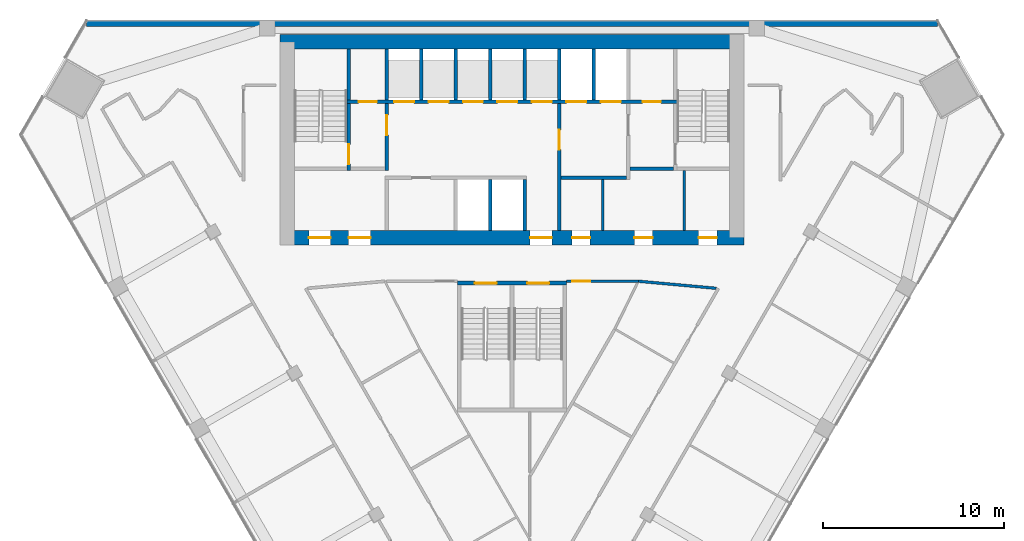
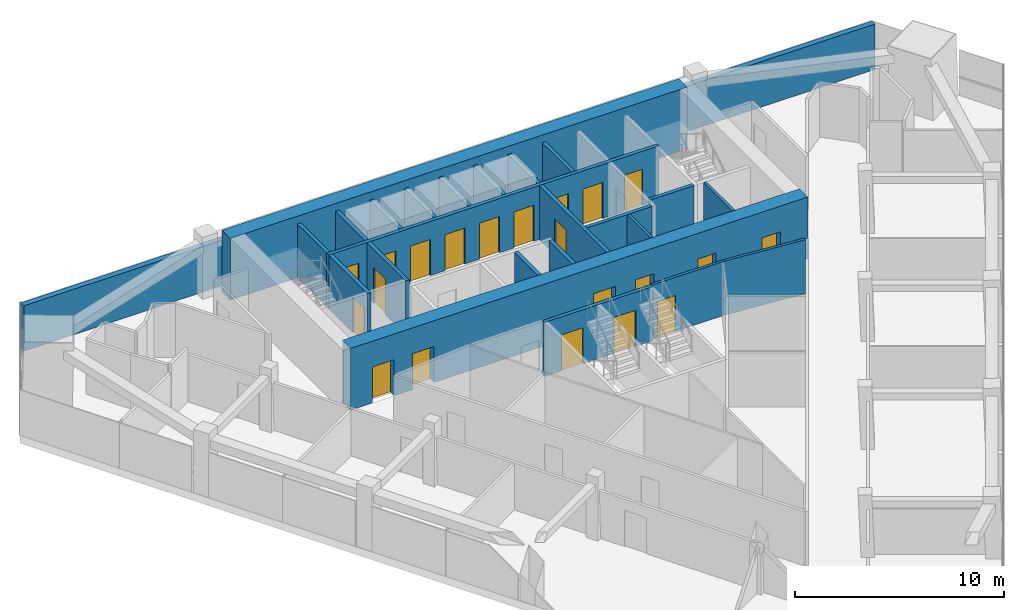
# One storey, part 10 of 13: 24 walls, 21 doors, 21 openings.
"""IFC4 building model written with IfcOpenShell, lengths in metres."""

import ifcopenshell
import ifcopenshell.guid

model = None  # the IFC model being written
_history = None  # IfcOwnerHistory: only IFC2X3 demands one
_inside = {}  # id of a spatial element -> (the spatial element, [elements in it])
_under = {}  # id of a project, library or spatial element -> (it, [spatial elements below it])
_declared = {}  # id of a project -> (the project, [libraries it declares])
_typed = {}  # id of a type object -> (the type object, [elements of that type])
_made_of = {}  # id of a material, layer set ... -> (it, [elements and type objects made of it])


def new_model(schema):
    """Start an empty IFC model of exactly this schema.

    Asked for "IFC4X3", IfcOpenShell would pick the latest addendum, in which some entities
    have other attributes; the version numbers below select the first issue.
    IFC2X3 requires an IfcOwnerHistory on every rooted entity: one is made here for all.
    """
    global model, _history
    if schema == "IFC4X3":
        model = ifcopenshell.file(schema_version=(4, 3, 0, 0))
    else:
        model = ifcopenshell.file(schema=schema)
    _inside.clear()
    _under.clear()
    _declared.clear()
    _typed.clear()
    _made_of.clear()
    _history = None
    if model.schema == "IFC2X3":
        org = make("IfcOrganization", Name="unknown")
        user = make(
            "IfcPersonAndOrganization",
            ThePerson=make("IfcPerson", FamilyName="unknown"),
            TheOrganization=org,
        )
        app = make(
            "IfcApplication",
            ApplicationDeveloper=org,
            Version="unknown",
            ApplicationFullName="unknown",
            ApplicationIdentifier="unknown",
        )
        _history = make(
            "IfcOwnerHistory",
            OwningUser=user,
            OwningApplication=app,
            ChangeAction="ADDED",
            CreationDate=0,
        )
    return model


def make(cls, **values):
    """One entity of the class cls with the attributes given. An attribute that is None is left unset."""
    return model.create_entity(
        cls, **{name: value for name, value in values.items() if value is not None}
    )


def rooted(cls, **values):
    """An entity with a GlobalId (a new one), such as an element, a storey or a relation."""
    return make(cls, GlobalId=ifcopenshell.guid.new(), OwnerHistory=_history, **values)


def si_unit(unit_type, name, prefix=None):
    """IfcSIUnit, for example si_unit("LENGTHUNIT", "METRE", prefix="MILLI")."""
    return make("IfcSIUnit", UnitType=unit_type, Prefix=prefix, Name=name)


def assignment(units):
    """IfcUnitAssignment: the units of a project."""
    return None if units is None else make("IfcUnitAssignment", Units=units)


def point(xyz):
    """IfcCartesianPoint."""
    return None if xyz is None else make("IfcCartesianPoint", Coordinates=xyz)


def direction(xyz):
    """IfcDirection."""
    return None if xyz is None else make("IfcDirection", DirectionRatios=xyz)


def frame(location, z_axis=None, x_axis=None):
    """IfcAxis2Placement3D, a coordinate frame: its origin and axes. An axis left out is left unset."""
    return make(
        "IfcAxis2Placement3D",
        Location=point(location),
        Axis=direction(z_axis),
        RefDirection=direction(x_axis),
    )


def frame_2d(location, x_axis=None):
    """IfcAxis2Placement2D, a coordinate frame in the plane: its origin and x axis."""
    return make(
        "IfcAxis2Placement2D", Location=point(location), RefDirection=direction(x_axis)
    )


def origin():
    """The frame at (0, 0, 0) with its axes left unset."""
    return frame((0.0, 0.0, 0.0))


def place(relative_to, where):
    """IfcLocalPlacement: puts the frame where relative to a parent placement (None: the world)."""
    return make(
        "IfcLocalPlacement", PlacementRelTo=relative_to, RelativePlacement=where
    )


def context(
    kind, dimensions, precision=None, world=None, true_north=None, identifier=None
):
    """IfcGeometricRepresentationContext, for example the 3D "Model" context."""
    return make(
        "IfcGeometricRepresentationContext",
        ContextIdentifier=identifier,
        ContextType=kind,
        CoordinateSpaceDimension=dimensions,
        Precision=precision,
        WorldCoordinateSystem=world,
        TrueNorth=true_north,
    )


def subcontext(parent, identifier, kind, view, scale=None):
    """IfcGeometricRepresentationSubContext, for example "Body" below "Model"."""
    return make(
        "IfcGeometricRepresentationSubContext",
        ContextIdentifier=identifier,
        ContextType=kind,
        ParentContext=parent,
        TargetScale=scale,
        TargetView=view,
    )


def project(units=None, contexts=None):
    """IfcProject with its units and contexts."""
    return rooted(
        "IfcProject",
        Name="project",
        RepresentationContexts=contexts,
        UnitsInContext=assignment(units),
    )


def spatial(cls, under=None, at=None, **own):
    """A site, building, storey or space (cls), placed at a placement, below another one or the project."""
    s = rooted(cls, ObjectPlacement=at, **own)
    if under is not None:
        _under.setdefault(under.id(), (under, []))[1].append(s)
    return s


def profile(cls, at=None, kind="AREA", **sizes):
    """A parametric profile (cls). Its sizes go by their IFC names, for example OverallWidth=200.0."""
    return make(cls, ProfileType=kind, Position=at, **sizes)


def rectangle(**sizes):
    """IfcRectangleProfileDef."""
    return profile("IfcRectangleProfileDef", **sizes)


def extrude(swept, where, along, depth):
    """IfcExtrudedAreaSolid: the profile swept, set in the frame where, extruded along a direction by depth."""
    return make(
        "IfcExtrudedAreaSolid",
        SweptArea=swept,
        Position=where,
        ExtrudedDirection=direction(along),
        Depth=depth,
    )


def shape(context_of_items, identifier, shape_type, items):
    """IfcShapeRepresentation: the items that make up one representation, for example the "Body"."""
    return make(
        "IfcShapeRepresentation",
        ContextOfItems=context_of_items,
        RepresentationIdentifier=identifier,
        RepresentationType=shape_type,
        Items=items,
    )


def material(Name=None, Category=None):
    """IfcMaterial."""
    return make("IfcMaterial", Name=Name, Category=Category)


def layer(
    of_material, thickness, ventilated=None, Name=None, Category=None, Priority=None
):
    """IfcMaterialLayer: one layer of a wall or slab, of a material (None: an air gap)."""
    return make(
        "IfcMaterialLayer",
        Material=of_material,
        LayerThickness=thickness,
        IsVentilated=ventilated,
        Name=Name,
        Category=Category,
        Priority=Priority,
    )


def layer_set(layers, Name=None):
    """IfcMaterialLayerSet."""
    return make("IfcMaterialLayerSet", MaterialLayers=layers, LayerSetName=Name)


def made_of(thing, what):
    """Note that an element or type object is made of a material, layer set ...; save() writes the relation."""
    if what is not None:
        _made_of.setdefault(what.id(), (what, []))[1].append(thing)
    return thing


def type_object(cls, material=None, **own):
    """A type object (cls), such as IfcWallType, which elements share."""
    return made_of(rooted(cls, **own), material)


def element(
    cls,
    number,
    at=None,
    inside=None,
    cuts=None,
    type_object=None,
    material=None,
    context=None,
    identifier="Body",
    shape_type=None,
    held_by="IfcProductDefinitionShape",
    body=None,
    shapes=None,
    **own,
):
    """One element of the class cls, such as IfcWall. Its Tag is "e" and its number.

    at: its placement. inside: the storey or other place that contains it. cuts: it is an
    opening in that element (IfcRelVoidsElement). A single representation is given by context,
    identifier, shape_type and body (its items); several are given by shapes. held_by: the class
    of the entity that holds the representations. save() writes the other relations.
    """
    e = rooted(cls, Tag="e%d" % number, ObjectPlacement=at, **own)
    if body is not None:
        shapes = [shape(context, identifier, shape_type, body)]
    if shapes is not None:
        e.Representation = make(held_by, Representations=shapes)
    if inside is not None:
        _inside.setdefault(inside.id(), (inside, []))[1].append(e)
    if cuts is not None:
        rooted(
            "IfcRelVoidsElement", RelatingBuildingElement=cuts, RelatedOpeningElement=e
        )
    if type_object is not None:
        _typed.setdefault(type_object.id(), (type_object, []))[1].append(e)
    return made_of(e, material)


def fill(opening, filler):
    """IfcRelFillsElement: the door or window that sits in an opening."""
    return rooted(
        "IfcRelFillsElement",
        RelatingOpeningElement=opening,
        RelatedBuildingElement=filler,
    )


def aggregate(whole, parts):
    """IfcRelAggregates: a whole, such as a stair, and the parts it consists of."""
    return rooted("IfcRelAggregates", RelatingObject=whole, RelatedObjects=parts)


def save(model, path):
    """Write the relations noted so far, then the file.

    IfcRelAggregates (storeys below a building ...), IfcRelContainedInSpatialStructure (elements
    in a storey), IfcRelDefinesByType, IfcRelAssociatesMaterial and IfcRelDeclares: one each for
    every whole, place, type object, material and project.
    """
    for whole, parts in _under.values():
        aggregate(whole, parts)
    for where, things in _inside.values():
        rooted(
            "IfcRelContainedInSpatialStructure",
            RelatedElements=things,
            RelatingStructure=where,
        )
    for kind, things in _typed.values():
        rooted("IfcRelDefinesByType", RelatedObjects=things, RelatingType=kind)
    for what, things in _made_of.values():
        rooted("IfcRelAssociatesMaterial", RelatedObjects=things, RelatingMaterial=what)
    for by, libraries in _declared.values():
        rooted("IfcRelDeclares", RelatingContext=by, RelatedDefinitions=libraries)
    model.write(path)


model = new_model("IFC4")

# Units and contexts
model_context = context("Model", 3, precision=1e-05, world=origin(), true_north=direction((0.0, 1.0)))
body_context = subcontext(model_context, "Body", "Model", "MODEL_VIEW")
ifc_project = project(units=[si_unit("LENGTHUNIT", "METRE"), si_unit("AREAUNIT", "SQUARE_METRE"), si_unit("VOLUMEUNIT", "CUBIC_METRE"), si_unit("PLANEANGLEUNIT", "RADIAN"), si_unit("MASSUNIT", "GRAM", prefix="KILO")], contexts=[model_context])

# Site, building, storey
site_placement = place(None, origin())
site = spatial("IfcSite", under=ifc_project, at=site_placement, CompositionType="ELEMENT")
building_placement = place(site_placement, origin())
building = spatial("IfcBuilding", under=site, at=building_placement, Name="Altiplano Prism Tower", CompositionType="ELEMENT")
storey_placement = place(building_placement, frame((0.0, 0.0, 153.0)))
storey = spatial("IfcBuildingStorey", under=building, at=storey_placement, Name="L39", CompositionType="ELEMENT", Elevation=153.0)

# Wall, openings, doors
ifc_material_1 = material(Name="Concrete C60/75", Category="concrete")
ifc_layer_1 = layer(ifc_material_1, 0.800048828125)
ifc_layer_set_1 = layer_set([ifc_layer_1], Name="Concrete C60/75")
wall_type_1 = type_object("IfcWallType", Name="Core wall 800", PredefinedType="SHEAR", material=ifc_layer_set_1)
wall_1_placement = place(storey_placement, frame((72.60009765625, 93.0, 0.0), z_axis=(0.0, 0.0, 1.0), x_axis=(1.0, 0.0, 0.0)))
wall_1 = element("IfcWall", 1, at=wall_1_placement, inside=storey, type_object=wall_type_1, Name="Core wall S L39", PredefinedType="SHEAR", context=body_context, shape_type="SweptSolid", body=[
    extrude(rectangle(XDim=25.199951171875, YDim=0.800048828125, at=frame_2d((12.60009765625, 0.0))), origin(), (0.0, 0.0, 1.0), 3.60009765625),
])
opening_1_placement = place(wall_1_placement, frame((1.199951171875, 0.0, 0.0)))
opening_1 = element("IfcOpeningElement", 2, at=opening_1_placement, cuts=wall_1, Name="Opening D3117", PredefinedType="OPENING", context=body_context, shape_type="SweptSolid", body=[
    extrude(rectangle(XDim=1.199951171875, YDim=2.10009765625, at=frame_2d((0.60009765625, 1.050048828125))), frame((0.0, 0.41064453125, 0.0), z_axis=(0.0, -1.0, 0.0), x_axis=(1.0, 0.0, 0.0)), (0.0, 0.0, 1.0), 0.821044921875),
])
opening_2_placement = place(wall_1_placement, frame((3.39990234375, 0.0, 0.0)))
opening_2 = element("IfcOpeningElement", 3, at=opening_2_placement, cuts=wall_1, Name="Opening D3118", PredefinedType="OPENING", context=body_context, shape_type="SweptSolid", body=[
    extrude(rectangle(XDim=1.199951171875, YDim=2.10009765625, at=frame_2d((0.60009765625, 1.050048828125))), frame((0.0, 0.41064453125, 0.0), z_axis=(0.0, -1.0, 0.0), x_axis=(1.0, 0.0, 0.0)), (0.0, 0.0, 1.0), 0.821044921875),
])
opening_3_placement = place(wall_1_placement, frame((13.39990234375, 0.0, 0.0)))
opening_3 = element("IfcOpeningElement", 4, at=opening_3_placement, cuts=wall_1, Name="Opening D3119", PredefinedType="OPENING", context=body_context, shape_type="SweptSolid", body=[
    extrude(rectangle(XDim=1.199951171875, YDim=2.10009765625, at=frame_2d((0.60009765625, 1.050048828125))), frame((0.0, 0.41064453125, 0.0), z_axis=(0.0, -1.0, 0.0), x_axis=(1.0, 0.0, 0.0)), (0.0, 0.0, 1.0), 0.821044921875),
])
opening_4_placement = place(wall_1_placement, frame((15.71240234375, 0.0, 0.0)))
opening_4 = element("IfcOpeningElement", 5, at=opening_4_placement, cuts=wall_1, Name="Opening D3122", PredefinedType="OPENING", context=body_context, shape_type="SweptSolid", body=[
    extrude(rectangle(XDim=1.0, YDim=2.10009765625, at=frame_2d((0.5, 1.050048828125))), frame((0.0, 0.41064453125, 0.0), z_axis=(0.0, -1.0, 0.0), x_axis=(1.0, 0.0, 0.0)), (0.0, 0.0, 1.0), 0.821044921875),
])
opening_5_placement = place(wall_1_placement, frame((19.14990234375, 0.0, 0.0)))
opening_5 = element("IfcOpeningElement", 6, at=opening_5_placement, cuts=wall_1, Name="Opening D3123", PredefinedType="OPENING", context=body_context, shape_type="SweptSolid", body=[
    extrude(rectangle(XDim=1.0, YDim=2.10009765625, at=frame_2d((0.5, 1.050048828125))), frame((0.0, 0.41064453125, 0.0), z_axis=(0.0, -1.0, 0.0), x_axis=(1.0, 0.0, 0.0)), (0.0, 0.0, 1.0), 0.821044921875),
])
opening_6_placement = place(wall_1_placement, frame((22.6875, 0.0, 0.0)))
opening_6 = element("IfcOpeningElement", 7, at=opening_6_placement, cuts=wall_1, Name="Opening D3124", PredefinedType="OPENING", context=body_context, shape_type="SweptSolid", body=[
    extrude(rectangle(XDim=1.0, YDim=2.10009765625, at=frame_2d((0.5, 1.050048828125))), frame((0.0, 0.41064453125, 0.0), z_axis=(0.0, -1.0, 0.0), x_axis=(1.0, 0.0, 0.0)), (0.0, 0.0, 1.0), 0.821044921875),
])
ifc_material_2 = material(Name="Fire-rated steel door", Category="steel")
door_type_1 = type_object("IfcDoorType", Name="Core room door 1000 x 2100", OperationType="NOTDEFINED", PredefinedType="NOTDEFINED", material=ifc_material_2)
door_1_placement = place(opening_4_placement, origin())
door_1 = element("IfcDoor", 8, at=door_1_placement, inside=storey, type_object=door_type_1, Name="Core room door D3122", OperationType="SINGLE_SWING_RIGHT", OverallHeight=2.10009765625, OverallWidth=1.0, PredefinedType="NOTDEFINED", context=body_context, shape_type="SweptSolid", body=[
    extrude(rectangle(XDim=1.0, YDim=2.10009765625, at=frame_2d((0.5, 1.050048828125))), frame((0.0, 0.02490234375, 0.0), z_axis=(0.0, -1.0, 0.0), x_axis=(1.0, 0.0, 0.0)), (0.0, 0.0, 1.0), 0.050048828125),
])
fill(opening_4, door_1)
door_2_placement = place(opening_5_placement, origin())
door_2 = element("IfcDoor", 9, at=door_2_placement, inside=storey, type_object=door_type_1, Name="Core room door D3123", OperationType="SINGLE_SWING_LEFT", OverallHeight=2.10009765625, OverallWidth=1.0, PredefinedType="NOTDEFINED", context=body_context, shape_type="SweptSolid", body=[
    extrude(rectangle(XDim=1.0, YDim=2.10009765625, at=frame_2d((0.5, 1.050048828125))), frame((0.0, 0.02490234375, 0.0), z_axis=(0.0, -1.0, 0.0), x_axis=(1.0, 0.0, 0.0)), (0.0, 0.0, 1.0), 0.050048828125),
])
fill(opening_5, door_2)
door_3_placement = place(opening_6_placement, origin())
door_3 = element("IfcDoor", 10, at=door_3_placement, inside=storey, type_object=door_type_1, Name="Core room door D3124", OperationType="SINGLE_SWING_RIGHT", OverallHeight=2.10009765625, OverallWidth=1.0, PredefinedType="NOTDEFINED", context=body_context, shape_type="SweptSolid", body=[
    extrude(rectangle(XDim=1.0, YDim=2.10009765625, at=frame_2d((0.5, 1.050048828125))), frame((0.0, 0.02490234375, 0.0), z_axis=(0.0, -1.0, 0.0), x_axis=(1.0, 0.0, 0.0)), (0.0, 0.0, 1.0), 0.050048828125),
])
fill(opening_6, door_3)
door_type_2 = type_object("IfcDoorType", Name="Lobby fire door 1200 x 2100", OperationType="NOTDEFINED", PredefinedType="NOTDEFINED", material=ifc_material_2)
door_4_placement = place(opening_1_placement, origin())
door_4 = element("IfcDoor", 11, at=door_4_placement, inside=storey, type_object=door_type_2, Name="Lobby fire door D3117", OperationType="SINGLE_SWING_RIGHT", OverallHeight=2.10009765625, OverallWidth=1.199951171875, PredefinedType="NOTDEFINED", context=body_context, shape_type="SweptSolid", body=[
    extrude(rectangle(XDim=1.199951171875, YDim=2.10009765625, at=frame_2d((0.60009765625, 1.050048828125))), frame((0.0, 0.02490234375, 0.0), z_axis=(0.0, -1.0, 0.0), x_axis=(1.0, 0.0, 0.0)), (0.0, 0.0, 1.0), 0.050048828125),
])
fill(opening_1, door_4)
door_5_placement = place(opening_2_placement, origin())
door_5 = element("IfcDoor", 12, at=door_5_placement, inside=storey, type_object=door_type_2, Name="Lobby fire door D3118", OperationType="SINGLE_SWING_LEFT", OverallHeight=2.10009765625, OverallWidth=1.199951171875, PredefinedType="NOTDEFINED", context=body_context, shape_type="SweptSolid", body=[
    extrude(rectangle(XDim=1.199951171875, YDim=2.10009765625, at=frame_2d((0.60009765625, 1.050048828125))), frame((0.0, 0.02490234375, 0.0), z_axis=(0.0, -1.0, 0.0), x_axis=(1.0, 0.0, 0.0)), (0.0, 0.0, 1.0), 0.050048828125),
])
fill(opening_2, door_5)
door_6_placement = place(opening_3_placement, origin())
door_6 = element("IfcDoor", 13, at=door_6_placement, inside=storey, type_object=door_type_2, Name="Lobby fire door D3119", OperationType="SINGLE_SWING_RIGHT", OverallHeight=2.10009765625, OverallWidth=1.199951171875, PredefinedType="NOTDEFINED", context=body_context, shape_type="SweptSolid", body=[
    extrude(rectangle(XDim=1.199951171875, YDim=2.10009765625, at=frame_2d((0.60009765625, 1.050048828125))), frame((0.0, 0.02490234375, 0.0), z_axis=(0.0, -1.0, 0.0), x_axis=(1.0, 0.0, 0.0)), (0.0, 0.0, 1.0), 0.050048828125),
])
fill(opening_3, door_6)

# Walls
wall_2_placement = place(storey_placement, frame((97.39990234375, 103.800048828125, 0.0), z_axis=(0.0, 0.0, 1.0), x_axis=(-1.0, 0.0, 0.0)))
element("IfcWall", 14, at=wall_2_placement, inside=storey, type_object=wall_type_1, Name="Core wall N L39", PredefinedType="SHEAR", context=body_context, shape_type="SweptSolid", body=[
    extrude(rectangle(XDim=25.199951171875, YDim=0.800048828125, at=frame_2d((12.60009765625, 0.0))), origin(), (0.0, 0.0, 1.0), 3.60009765625),
])
ifc_material_3 = material(Name="Plasterboard on steel stud", Category="steel")
ifc_layer_2 = layer(ifc_material_3, 0.14990234375)
ifc_layer_set_2 = layer_set([ifc_layer_2], Name="Plasterboard on steel stud")
wall_type_2 = type_object("IfcWallType", Name="Partition 150 corridor", PredefinedType="PARTITIONING", material=ifc_layer_set_2)
wall_3_placement = place(storey_placement, frame((91.960205078125, 90.59912109375, 0.0), z_axis=(0.0, 0.0, 1.0), x_axis=(0.995935758561, -0.090066446696, 0.0)))
element("IfcWall", 15, at=wall_3_placement, inside=storey, type_object=wall_type_2, Name="Partition P06 L39 001", PredefinedType="PARTITIONING", context=body_context, shape_type="SweptSolid", body=[
    extrude(rectangle(XDim=4.3154296875, YDim=0.14990234375, at=frame_2d((2.15771484375, 0.0))), origin(), (0.0, 0.0, 1.0), 3.14990234375),
])

# Wall, opening, door
wall_4_placement = place(storey_placement, frame((88.0, 90.60009765625, 0.0), z_axis=(0.0, 0.0, 1.0), x_axis=(0.999999969596, -0.000246593914, 0.0)))
wall_4 = element("IfcWall", 16, at=wall_4_placement, inside=storey, type_object=wall_type_2, Name="Partition P06 L39 003", PredefinedType="PARTITIONING", context=body_context, shape_type="SweptSolid", body=[
    extrude(rectangle(XDim=3.960205078125, YDim=0.14990234375, at=frame_2d((1.97998046875, 0.0))), origin(), (0.0, 0.0, 1.0), 3.14990234375),
])
opening_7_placement = place(wall_4_placement, frame((0.322021484375, 0.0, 0.0)))
opening_7 = element("IfcOpeningElement", 17, at=opening_7_placement, cuts=wall_4, Name="Opening D1418", PredefinedType="OPENING", context=body_context, shape_type="SweptSolid", body=[
    extrude(rectangle(XDim=1.0, YDim=2.10009765625, at=frame_2d((0.5, 1.050048828125))), frame((0.0, 0.08544921875, 0.0), z_axis=(0.0, -1.0, 0.0), x_axis=(1.0, 0.0, 0.0)), (0.0, 0.0, 1.0), 0.1708984375),
])
ifc_material_4 = material(Name="Timber", Category="wood")
door_type_3 = type_object("IfcDoorType", Name="Store door 1000 x 2100", OperationType="NOTDEFINED", PredefinedType="NOTDEFINED", material=ifc_material_4)
door_7_placement = place(opening_7_placement, origin())
door_7 = element("IfcDoor", 18, at=door_7_placement, inside=storey, type_object=door_type_3, Name="Door D1418", OperationType="SINGLE_SWING_LEFT", OverallHeight=2.10009765625, OverallWidth=1.0, PredefinedType="NOTDEFINED", context=body_context, shape_type="SweptSolid", body=[
    extrude(rectangle(XDim=1.0, YDim=2.10009765625, at=frame_2d((0.5, 1.050048828125))), frame((0.0, 0.02490234375, 0.0), z_axis=(0.0, -1.0, 0.0), x_axis=(1.0, 0.0, 0.0)), (0.0, 0.0, 1.0), 0.050048828125),
])
fill(opening_7, door_7)

# Walls
ifc_material_5 = material(Name="Fire-rated gypsum board partition")
ifc_layer_3 = layer(ifc_material_5, 0.14990234375)
ifc_layer_set_3 = layer_set([ifc_layer_3], Name="Fire-rated gypsum board partition")
wall_type_3 = type_object("IfcWallType", Name="Room partition 150", PredefinedType="PARTITIONING", material=ifc_layer_set_3)
wall_5_placement = place(storey_placement, frame((90.0, 93.39990234375, 0.0), z_axis=(0.0, 0.0, 1.0), x_axis=(0.0, 1.0, 0.0)))
element("IfcWall", 19, at=wall_5_placement, inside=storey, type_object=wall_type_3, Name="Room partition L39", PredefinedType="PARTITIONING", context=body_context, shape_type="SweptSolid", body=[
    extrude(rectangle(XDim=2.800048828125, YDim=0.14990234375, at=frame_2d((1.39990234375, 0.0))), origin(), (0.0, 0.0, 1.0), 3.14990234375),
])
wall_6_placement = place(storey_placement, frame((94.5, 93.39990234375, 0.0), z_axis=(0.0, 0.0, 1.0), x_axis=(0.0, 1.0, 0.0)))
element("IfcWall", 20, at=wall_6_placement, inside=storey, type_object=wall_type_3, Name="Room partition L39", PredefinedType="PARTITIONING", context=body_context, shape_type="SweptSolid", body=[
    extrude(rectangle(XDim=3.300048828125, YDim=0.14990234375, at=frame_2d((1.64990234375, 0.0))), origin(), (0.0, 0.0, 1.0), 3.14990234375),
])
ifc_layer_4 = layer(ifc_material_1, 0.199951171875)
ifc_layer_set_4 = layer_set([ifc_layer_4], Name="Concrete C60/75")
wall_type_4 = type_object("IfcWallType", Name="Shaft wall 200", PredefinedType="SOLIDWALL", material=ifc_layer_set_4)
for number, where, z_axis, x_axis, name in (
    (21, (83.800048828125, 93.39990234375, 0.0), (0.0, 0.0, 1.0), (0.0, 1.0, 0.0), "Shaft wall L39"),
    (22, (85.699951171875, 93.39990234375, 0.0), (0.0, 0.0, 1.0), (0.0, 1.0, 0.0), "Shaft wall L39"),
):
    element("IfcWall", number, at=place(storey_placement, frame(where, z_axis=z_axis, x_axis=x_axis)), inside=storey, type_object=wall_type_4, Name=name, PredefinedType="SOLIDWALL", context=body_context, shape_type="SweptSolid", body=[
        extrude(rectangle(XDim=2.800048828125, YDim=0.199951171875, at=frame_2d((1.39990234375, 0.0))), origin(), (0.0, 0.0, 1.0), 3.14990234375),
    ])
for number, where, z_axis, x_axis, name in (
    (23, (78.10009765625, 100.60009765625, 0.0), (0.0, 0.0, 1.0), (0.0, 1.0, 0.0), "Shaft wall L39"),
    (24, (80.0, 100.60009765625, 0.0), (0.0, 0.0, 1.0), (0.0, 1.0, 0.0), "Shaft wall L39"),
    (25, (81.89990234375, 100.60009765625, 0.0), (0.0, 0.0, 1.0), (0.0, 1.0, 0.0), "Shaft wall L39"),
    (26, (83.800048828125, 100.60009765625, 0.0), (0.0, 0.0, 1.0), (0.0, 1.0, 0.0), "Shaft wall L39"),
    (27, (85.699951171875, 100.60009765625, 0.0), (0.0, 0.0, 1.0), (0.0, 1.0, 0.0), "Shaft wall L39"),
    (28, (87.60009765625, 100.60009765625, 0.0), (0.0, 0.0, 1.0), (0.0, 1.0, 0.0), "Shaft wall L39"),
    (29, (89.5, 100.60009765625, 0.0), (0.0, 0.0, 1.0), (0.0, 1.0, 0.0), "Shaft wall L39"),
):
    element("IfcWall", number, at=place(storey_placement, frame(where, z_axis=z_axis, x_axis=x_axis)), inside=storey, type_object=wall_type_4, Name=name, PredefinedType="SOLIDWALL", context=body_context, shape_type="SweptSolid", body=[
        extrude(rectangle(XDim=2.7998046875, YDim=0.199951171875, at=frame_2d((1.39990234375, 0.0))), origin(), (0.0, 0.0, 1.0), 3.14990234375),
    ])

# Wall, opening, door
ifc_layer_5 = layer(ifc_material_1, 0.199951171875)
ifc_layer_set_5 = layer_set([ifc_layer_5], Name="Concrete C60/75")
wall_type_5 = type_object("IfcWallType", Name="Stair wall 200", PredefinedType="SOLIDWALL", material=ifc_layer_set_5)
wall_7_placement = place(storey_placement, frame((76.0, 96.699951171875, 0.0), z_axis=(0.0, 0.0, 1.0), x_axis=(0.0, 1.0, 0.0)))
wall_7 = element("IfcWall", 30, at=wall_7_placement, inside=storey, type_object=wall_type_5, Name="Stair wall L39", PredefinedType="SOLIDWALL", context=body_context, shape_type="SweptSolid", body=[
    extrude(rectangle(XDim=3.699951171875, YDim=0.199951171875, at=frame_2d((1.85009765625, 0.0))), origin(), (0.0, 0.0, 1.0), 3.14990234375),
])
opening_8_placement = place(wall_7_placement, frame((0.35009765625, 0.0, 0.0)))
opening_8 = element("IfcOpeningElement", 31, at=opening_8_placement, cuts=wall_7, Name="Opening D3112", PredefinedType="OPENING", context=body_context, shape_type="SweptSolid", body=[
    extrude(rectangle(XDim=1.10009765625, YDim=2.10009765625, at=frame_2d((0.550048828125, 1.050048828125))), frame((0.0, 0.1103515625, 0.0), z_axis=(0.0, -1.0, 0.0), x_axis=(1.0, 0.0, 0.0)), (0.0, 0.0, 1.0), 0.220947265625),
])
door_type_4 = type_object("IfcDoorType", Name="Stair fire door 1100 x 2100", OperationType="NOTDEFINED", PredefinedType="NOTDEFINED", material=ifc_material_2)
door_8_placement = place(opening_8_placement, origin())
door_8 = element("IfcDoor", 32, at=door_8_placement, inside=storey, type_object=door_type_4, Name="Stair fire door D3112", OperationType="SINGLE_SWING_RIGHT", OverallHeight=2.10009765625, OverallWidth=1.10009765625, PredefinedType="NOTDEFINED", context=body_context, shape_type="SweptSolid", body=[
    extrude(rectangle(XDim=1.10009765625, YDim=2.10009765625, at=frame_2d((0.550048828125, 1.050048828125))), frame((0.0, 0.02490234375, 0.0), z_axis=(0.0, -1.0, 0.0), x_axis=(1.0, 0.0, 0.0)), (0.0, 0.0, 1.0), 0.050048828125),
])
fill(opening_8, door_8)

# Wall, openings, doors
wall_8_placement = place(storey_placement, frame((75.89990234375, 100.5, 0.0), z_axis=(0.0, 0.0, 1.0), x_axis=(1.0, 0.0, 0.0)))
wall_8 = element("IfcWall", 33, at=wall_8_placement, inside=storey, type_object=wall_type_5, Name="Stair wall L39", PredefinedType="SOLIDWALL", context=body_context, shape_type="SweptSolid", body=[
    extrude(rectangle(XDim=18.2001953125, YDim=0.199951171875, at=frame_2d((9.10009765625, 0.0))), origin(), (0.0, 0.0, 1.0), 3.14990234375),
])
opening_9_placement = place(wall_8_placement, frame((2.60009765625, 0.0, 0.0)))
opening_9 = element("IfcOpeningElement", 34, at=opening_9_placement, cuts=wall_8, Name="Opening LD-ML1-L39", PredefinedType="OPENING", context=body_context, shape_type="SweptSolid", body=[
    extrude(rectangle(XDim=1.10009765625, YDim=2.10009765625, at=frame_2d((0.550048828125, 1.050048828125))), frame((0.0, 0.1103515625, 0.0), z_axis=(0.0, -1.0, 0.0), x_axis=(1.0, 0.0, 0.0)), (0.0, 0.0, 1.0), 0.220947265625),
])
opening_10_placement = place(wall_8_placement, frame((4.5, 0.0, 0.0)))
opening_10 = element("IfcOpeningElement", 35, at=opening_10_placement, cuts=wall_8, Name="Opening LD-ML2-L39", PredefinedType="OPENING", context=body_context, shape_type="SweptSolid", body=[
    extrude(rectangle(XDim=1.10009765625, YDim=2.10009765625, at=frame_2d((0.550048828125, 1.050048828125))), frame((0.0, 0.1103515625, 0.0), z_axis=(0.0, -1.0, 0.0), x_axis=(1.0, 0.0, 0.0)), (0.0, 0.0, 1.0), 0.220947265625),
])
opening_11_placement = place(wall_8_placement, frame((6.39990234375, 0.0, 0.0)))
opening_11 = element("IfcOpeningElement", 36, at=opening_11_placement, cuts=wall_8, Name="Opening LD-ML3-L39", PredefinedType="OPENING", context=body_context, shape_type="SweptSolid", body=[
    extrude(rectangle(XDim=1.10009765625, YDim=2.10009765625, at=frame_2d((0.550048828125, 1.050048828125))), frame((0.0, 0.1103515625, 0.0), z_axis=(0.0, -1.0, 0.0), x_axis=(1.0, 0.0, 0.0)), (0.0, 0.0, 1.0), 0.220947265625),
])
opening_12_placement = place(wall_8_placement, frame((8.300048828125, 0.0, 0.0)))
opening_12 = element("IfcOpeningElement", 37, at=opening_12_placement, cuts=wall_8, Name="Opening LD-ML4-L39", PredefinedType="OPENING", context=body_context, shape_type="SweptSolid", body=[
    extrude(rectangle(XDim=1.10009765625, YDim=2.10009765625, at=frame_2d((0.550048828125, 1.050048828125))), frame((0.0, 0.1103515625, 0.0), z_axis=(0.0, -1.0, 0.0), x_axis=(1.0, 0.0, 0.0)), (0.0, 0.0, 1.0), 0.220947265625),
])
opening_13_placement = place(wall_8_placement, frame((10.199951171875, 0.0, 0.0)))
opening_13 = element("IfcOpeningElement", 38, at=opening_13_placement, cuts=wall_8, Name="Opening LD-ML5-L39", PredefinedType="OPENING", context=body_context, shape_type="SweptSolid", body=[
    extrude(rectangle(XDim=1.10009765625, YDim=2.10009765625, at=frame_2d((0.550048828125, 1.050048828125))), frame((0.0, 0.1103515625, 0.0), z_axis=(0.0, -1.0, 0.0), x_axis=(1.0, 0.0, 0.0)), (0.0, 0.0, 1.0), 0.220947265625),
])
opening_14_placement = place(wall_8_placement, frame((12.10009765625, 0.0, 0.0)))
opening_14 = element("IfcOpeningElement", 39, at=opening_14_placement, cuts=wall_8, Name="Opening LD-FF1-L39", PredefinedType="OPENING", context=body_context, shape_type="SweptSolid", body=[
    extrude(rectangle(XDim=1.10009765625, YDim=2.10009765625, at=frame_2d((0.550048828125, 1.050048828125))), frame((0.0, 0.1103515625, 0.0), z_axis=(0.0, -1.0, 0.0), x_axis=(1.0, 0.0, 0.0)), (0.0, 0.0, 1.0), 0.220947265625),
])
opening_15_placement = place(wall_8_placement, frame((14.0, 0.0, 0.0)))
opening_15 = element("IfcOpeningElement", 40, at=opening_15_placement, cuts=wall_8, Name="Opening LD-FF2-L39", PredefinedType="OPENING", context=body_context, shape_type="SweptSolid", body=[
    extrude(rectangle(XDim=1.10009765625, YDim=2.10009765625, at=frame_2d((0.550048828125, 1.050048828125))), frame((0.0, 0.1103515625, 0.0), z_axis=(0.0, -1.0, 0.0), x_axis=(1.0, 0.0, 0.0)), (0.0, 0.0, 1.0), 0.220947265625),
])
opening_16_placement = place(wall_8_placement, frame((0.64990234375, 0.0, 0.0)))
opening_16 = element("IfcOpeningElement", 41, at=opening_16_placement, cuts=wall_8, Name="Opening D3120", PredefinedType="OPENING", context=body_context, shape_type="SweptSolid", body=[
    extrude(rectangle(XDim=1.0, YDim=2.10009765625, at=frame_2d((0.5, 1.050048828125))), frame((0.0, 0.1103515625, 0.0), z_axis=(0.0, -1.0, 0.0), x_axis=(1.0, 0.0, 0.0)), (0.0, 0.0, 1.0), 0.220947265625),
])
opening_17_placement = place(wall_8_placement, frame((16.300048828125, 0.0, 0.0)))
opening_17 = element("IfcOpeningElement", 42, at=opening_17_placement, cuts=wall_8, Name="Opening D3121", PredefinedType="OPENING", context=body_context, shape_type="SweptSolid", body=[
    extrude(rectangle(XDim=1.0, YDim=2.10009765625, at=frame_2d((0.5, 1.050048828125))), frame((0.0, 0.1103515625, 0.0), z_axis=(0.0, -1.0, 0.0), x_axis=(1.0, 0.0, 0.0)), (0.0, 0.0, 1.0), 0.220947265625),
])
door_9_placement = place(opening_16_placement, origin())
door_9 = element("IfcDoor", 43, at=door_9_placement, inside=storey, type_object=door_type_1, Name="Core room door D3120", OperationType="SINGLE_SWING_LEFT", OverallHeight=2.10009765625, OverallWidth=1.0, PredefinedType="NOTDEFINED", context=body_context, shape_type="SweptSolid", body=[
    extrude(rectangle(XDim=1.0, YDim=2.10009765625, at=frame_2d((0.5, 1.050048828125))), frame((0.0, 0.02490234375, 0.0), z_axis=(0.0, -1.0, 0.0), x_axis=(1.0, 0.0, 0.0)), (0.0, 0.0, 1.0), 0.050048828125),
])
fill(opening_16, door_9)
door_10_placement = place(opening_17_placement, origin())
door_10 = element("IfcDoor", 44, at=door_10_placement, inside=storey, type_object=door_type_1, Name="Core room door D3121", OperationType="SINGLE_SWING_RIGHT", OverallHeight=2.10009765625, OverallWidth=1.0, PredefinedType="NOTDEFINED", context=body_context, shape_type="SweptSolid", body=[
    extrude(rectangle(XDim=1.0, YDim=2.10009765625, at=frame_2d((0.5, 1.050048828125))), frame((0.0, 0.02490234375, 0.0), z_axis=(0.0, -1.0, 0.0), x_axis=(1.0, 0.0, 0.0)), (0.0, 0.0, 1.0), 0.050048828125),
])
fill(opening_17, door_10)
ifc_material_6 = material(Name="Stainless steel landing door", Category="steel")
door_type_5 = type_object("IfcDoorType", Name="Landing door 1100 x 2100", OperationType="NOTDEFINED", PredefinedType="NOTDEFINED", material=ifc_material_6)
door_11_placement = place(opening_9_placement, origin())
door_11 = element("IfcDoor", 45, at=door_11_placement, inside=storey, type_object=door_type_5, Name="Landing doors ML1", OperationType="SLIDING_TO_RIGHT", OverallHeight=2.10009765625, OverallWidth=1.10009765625, PredefinedType="NOTDEFINED", context=body_context, shape_type="SweptSolid", body=[
    extrude(rectangle(XDim=1.10009765625, YDim=2.10009765625, at=frame_2d((0.550048828125, 1.050048828125))), frame((0.0, 0.02490234375, 0.0), z_axis=(0.0, -1.0, 0.0), x_axis=(1.0, 0.0, 0.0)), (0.0, 0.0, 1.0), 0.050048828125),
])
fill(opening_9, door_11)
door_12_placement = place(opening_10_placement, origin())
door_12 = element("IfcDoor", 46, at=door_12_placement, inside=storey, type_object=door_type_5, Name="Landing doors ML2", OperationType="SLIDING_TO_LEFT", OverallHeight=2.10009765625, OverallWidth=1.10009765625, PredefinedType="NOTDEFINED", context=body_context, shape_type="SweptSolid", body=[
    extrude(rectangle(XDim=1.10009765625, YDim=2.10009765625, at=frame_2d((0.550048828125, 1.050048828125))), frame((0.0, 0.02490234375, 0.0), z_axis=(0.0, -1.0, 0.0), x_axis=(1.0, 0.0, 0.0)), (0.0, 0.0, 1.0), 0.050048828125),
])
fill(opening_10, door_12)
door_13_placement = place(opening_11_placement, origin())
door_13 = element("IfcDoor", 47, at=door_13_placement, inside=storey, type_object=door_type_5, Name="Landing doors ML3", OperationType="SLIDING_TO_RIGHT", OverallHeight=2.10009765625, OverallWidth=1.10009765625, PredefinedType="NOTDEFINED", context=body_context, shape_type="SweptSolid", body=[
    extrude(rectangle(XDim=1.10009765625, YDim=2.10009765625, at=frame_2d((0.550048828125, 1.050048828125))), frame((0.0, 0.02490234375, 0.0), z_axis=(0.0, -1.0, 0.0), x_axis=(1.0, 0.0, 0.0)), (0.0, 0.0, 1.0), 0.050048828125),
])
fill(opening_11, door_13)
door_14_placement = place(opening_12_placement, origin())
door_14 = element("IfcDoor", 48, at=door_14_placement, inside=storey, type_object=door_type_5, Name="Landing doors ML4", OperationType="SLIDING_TO_LEFT", OverallHeight=2.10009765625, OverallWidth=1.10009765625, PredefinedType="NOTDEFINED", context=body_context, shape_type="SweptSolid", body=[
    extrude(rectangle(XDim=1.10009765625, YDim=2.10009765625, at=frame_2d((0.550048828125, 1.050048828125))), frame((0.0, 0.02490234375, 0.0), z_axis=(0.0, -1.0, 0.0), x_axis=(1.0, 0.0, 0.0)), (0.0, 0.0, 1.0), 0.050048828125),
])
fill(opening_12, door_14)
door_15_placement = place(opening_13_placement, origin())
door_15 = element("IfcDoor", 49, at=door_15_placement, inside=storey, type_object=door_type_5, Name="Landing doors ML5", OperationType="SLIDING_TO_RIGHT", OverallHeight=2.10009765625, OverallWidth=1.10009765625, PredefinedType="NOTDEFINED", context=body_context, shape_type="SweptSolid", body=[
    extrude(rectangle(XDim=1.10009765625, YDim=2.10009765625, at=frame_2d((0.550048828125, 1.050048828125))), frame((0.0, 0.02490234375, 0.0), z_axis=(0.0, -1.0, 0.0), x_axis=(1.0, 0.0, 0.0)), (0.0, 0.0, 1.0), 0.050048828125),
])
fill(opening_13, door_15)
door_16_placement = place(opening_14_placement, origin())
door_16 = element("IfcDoor", 50, at=door_16_placement, inside=storey, type_object=door_type_5, Name="Landing doors FF1", OperationType="SLIDING_TO_RIGHT", OverallHeight=2.10009765625, OverallWidth=1.10009765625, PredefinedType="NOTDEFINED", context=body_context, shape_type="SweptSolid", body=[
    extrude(rectangle(XDim=1.10009765625, YDim=2.10009765625, at=frame_2d((0.550048828125, 1.050048828125))), frame((0.0, 0.02490234375, 0.0), z_axis=(0.0, -1.0, 0.0), x_axis=(1.0, 0.0, 0.0)), (0.0, 0.0, 1.0), 0.050048828125),
])
fill(opening_14, door_16)
door_17_placement = place(opening_15_placement, origin())
door_17 = element("IfcDoor", 51, at=door_17_placement, inside=storey, type_object=door_type_5, Name="Landing doors FF2", OperationType="SLIDING_TO_LEFT", OverallHeight=2.10009765625, OverallWidth=1.10009765625, PredefinedType="NOTDEFINED", context=body_context, shape_type="SweptSolid", body=[
    extrude(rectangle(XDim=1.10009765625, YDim=2.10009765625, at=frame_2d((0.550048828125, 1.050048828125))), frame((0.0, 0.02490234375, 0.0), z_axis=(0.0, -1.0, 0.0), x_axis=(1.0, 0.0, 0.0)), (0.0, 0.0, 1.0), 0.050048828125),
])
fill(opening_15, door_17)

# Wall
wall_9_placement = place(storey_placement, frame((76.0, 100.60009765625, 0.0), z_axis=(0.0, 0.0, 1.0), x_axis=(0.0, 1.0, 0.0)))
element("IfcWall", 52, at=wall_9_placement, inside=storey, type_object=wall_type_5, Name="Stair wall L39", PredefinedType="SOLIDWALL", context=body_context, shape_type="SweptSolid", body=[
    extrude(rectangle(XDim=2.7998046875, YDim=0.199951171875, at=frame_2d((1.39990234375, 0.0))), origin(), (0.0, 0.0, 1.0), 3.14990234375),
])

# Wall, openings, doors
wall_10_placement = place(storey_placement, frame((82.0, 90.5, 0.0), z_axis=(0.0, 0.0, 1.0), x_axis=(1.0, 0.0, 0.0)))
wall_10 = element("IfcWall", 53, at=wall_10_placement, inside=storey, type_object=wall_type_5, Name="Stair 3 wall north L39", PredefinedType="SOLIDWALL", context=body_context, shape_type="SweptSolid", body=[
    extrude(rectangle(XDim=6.0, YDim=0.199951171875, at=frame_2d((3.0, 0.0))), origin(), (0.0, 0.0, 1.0), 3.14990234375),
])
opening_18_placement = place(wall_10_placement, frame((0.949951171875, 0.0, 0.0)))
opening_18 = element("IfcOpeningElement", 54, at=opening_18_placement, cuts=wall_10, Name="Opening D4000", PredefinedType="OPENING", context=body_context, shape_type="SweptSolid", body=[
    extrude(rectangle(XDim=1.199951171875, YDim=2.10009765625, at=frame_2d((0.60009765625, 1.050048828125))), frame((0.0, 0.1103515625, 0.0), z_axis=(0.0, -1.0, 0.0), x_axis=(1.0, 0.0, 0.0)), (0.0, 0.0, 1.0), 0.220947265625),
])
opening_19_placement = place(wall_10_placement, frame((3.85009765625, 0.0, 0.0)))
opening_19 = element("IfcOpeningElement", 55, at=opening_19_placement, cuts=wall_10, Name="Opening D4001", PredefinedType="OPENING", context=body_context, shape_type="SweptSolid", body=[
    extrude(rectangle(XDim=1.199951171875, YDim=2.10009765625, at=frame_2d((0.60009765625, 1.050048828125))), frame((0.0, 0.1103515625, 0.0), z_axis=(0.0, -1.0, 0.0), x_axis=(1.0, 0.0, 0.0)), (0.0, 0.0, 1.0), 0.220947265625),
])
door_type_6 = type_object("IfcDoorType", Name="Stair fire door 1200 x 2100", OperationType="NOTDEFINED", PredefinedType="NOTDEFINED", material=ifc_material_2)
door_18_placement = place(opening_18_placement, origin())
door_18 = element("IfcDoor", 56, at=door_18_placement, inside=storey, type_object=door_type_6, Name="Stair fire door D4000", OperationType="SINGLE_SWING_LEFT", OverallHeight=2.10009765625, OverallWidth=1.199951171875, PredefinedType="NOTDEFINED", context=body_context, shape_type="SweptSolid", body=[
    extrude(rectangle(XDim=1.199951171875, YDim=2.10009765625, at=frame_2d((0.60009765625, 1.050048828125))), frame((0.0, 0.02490234375, 0.0), z_axis=(0.0, -1.0, 0.0), x_axis=(1.0, 0.0, 0.0)), (0.0, 0.0, 1.0), 0.050048828125),
])
fill(opening_18, door_18)
door_19_placement = place(opening_19_placement, origin())
door_19 = element("IfcDoor", 57, at=door_19_placement, inside=storey, type_object=door_type_6, Name="Stair fire door D4001", OperationType="SINGLE_SWING_LEFT", OverallHeight=2.10009765625, OverallWidth=1.199951171875, PredefinedType="NOTDEFINED", context=body_context, shape_type="SweptSolid", body=[
    extrude(rectangle(XDim=1.199951171875, YDim=2.10009765625, at=frame_2d((0.60009765625, 1.050048828125))), frame((0.0, 0.02490234375, 0.0), z_axis=(0.0, -1.0, 0.0), x_axis=(1.0, 0.0, 0.0)), (0.0, 0.0, 1.0), 0.050048828125),
])
fill(opening_19, door_19)

# Wall
ifc_material_7 = material(Name="Concrete C40", Category="concrete")
ifc_layer_6 = layer(ifc_material_7, 0.300048828125)
ifc_layer_set_6 = layer_set([ifc_layer_6], Name="Concrete C40")
wall_type_6 = type_object("IfcWallType", Name="Stone-clad external wall 300", PredefinedType="SOLIDWALL", material=ifc_layer_set_6)
wall_11_placement = place(storey_placement, frame((61.5322265625, 104.7900390625, 0.0), z_axis=(0.0, 0.0, 1.0), x_axis=(1.0, 0.0, 0.0)))
element("IfcWall", 58, at=wall_11_placement, inside=storey, type_object=wall_type_6, Name="External wall north face L39", PredefinedType="SOLIDWALL", context=body_context, shape_type="SweptSolid", body=[
    extrude(rectangle(XDim=46.935546875, YDim=0.300048828125, at=frame_2d((23.4677734375, 0.0))), origin(), (0.0, 0.0, 1.0), 2.64990234375),
])

# Wall, opening, door
ifc_layer_7 = layer(ifc_material_1, 0.199951171875)
ifc_layer_set_7 = layer_set([ifc_layer_7], Name="Concrete C60/75")
wall_type_7 = type_object("IfcWallType", Name="Vestibule wall 200", PredefinedType="PARTITIONING", material=ifc_layer_set_7)
wall_12_placement = place(storey_placement, frame((87.60009765625, 93.39990234375, 0.0), z_axis=(0.0, 0.0, 1.0), x_axis=(0.0, 1.0, 0.0)))
wall_12 = element("IfcWall", 59, at=wall_12_placement, inside=storey, type_object=wall_type_7, Name="Vestibule wall L39", PredefinedType="PARTITIONING", context=body_context, shape_type="SweptSolid", body=[
    extrude(rectangle(XDim=7.0, YDim=0.199951171875, at=frame_2d((3.5, 0.0))), origin(), (0.0, 0.0, 1.0), 3.14990234375),
])
opening_20_placement = place(wall_12_placement, frame((4.449951171875, 0.0, 0.0)))
opening_20 = element("IfcOpeningElement", 60, at=opening_20_placement, cuts=wall_12, Name="Opening D3115", PredefinedType="OPENING", context=body_context, shape_type="SweptSolid", body=[
    extrude(rectangle(XDim=1.10009765625, YDim=2.10009765625, at=frame_2d((0.550048828125, 1.050048828125))), frame((0.0, 0.1103515625, 0.0), z_axis=(0.0, -1.0, 0.0), x_axis=(1.0, 0.0, 0.0)), (0.0, 0.0, 1.0), 0.220947265625),
])
door_type_7 = type_object("IfcDoorType", Name="Vestibule fire door 1100 x 2100", OperationType="NOTDEFINED", PredefinedType="NOTDEFINED", material=ifc_material_2)
door_20_placement = place(opening_20_placement, origin())
door_20 = element("IfcDoor", 61, at=door_20_placement, inside=storey, type_object=door_type_7, Name="Vestibule fire door D3115", OperationType="SINGLE_SWING_RIGHT", OverallHeight=2.10009765625, OverallWidth=1.10009765625, PredefinedType="NOTDEFINED", context=body_context, shape_type="SweptSolid", body=[
    extrude(rectangle(XDim=1.10009765625, YDim=2.10009765625, at=frame_2d((0.550048828125, 1.050048828125))), frame((0.0, 0.02490234375, 0.0), z_axis=(0.0, -1.0, 0.0), x_axis=(1.0, 0.0, 0.0)), (0.0, 0.0, 1.0), 0.050048828125),
])
fill(opening_20, door_20)

# Wall
wall_13_placement = place(storey_placement, frame((87.699951171875, 96.300048828125, 0.0), z_axis=(0.0, 0.0, 1.0), x_axis=(1.0, 0.0, 0.0)))
element("IfcWall", 62, at=wall_13_placement, inside=storey, type_object=wall_type_7, Name="Vestibule wall L39", PredefinedType="PARTITIONING", context=body_context, shape_type="SweptSolid", body=[
    extrude(rectangle(XDim=3.60009765625, YDim=0.199951171875, at=frame_2d((1.800048828125, 0.0))), origin(), (0.0, 0.0, 1.0), 3.14990234375),
])

# Wall, opening, door
wall_14_placement = place(storey_placement, frame((78.10009765625, 96.699951171875, 0.0), z_axis=(0.0, 0.0, 1.0), x_axis=(0.0, 1.0, 0.0)))
wall_14 = element("IfcWall", 63, at=wall_14_placement, inside=storey, type_object=wall_type_7, Name="Vestibule wall L39", PredefinedType="PARTITIONING", context=body_context, shape_type="SweptSolid", body=[
    extrude(rectangle(XDim=3.699951171875, YDim=0.199951171875, at=frame_2d((1.85009765625, 0.0))), origin(), (0.0, 0.0, 1.0), 3.14990234375),
])
opening_21_placement = place(wall_14_placement, frame((1.949951171875, 0.0, 0.0)))
opening_21 = element("IfcOpeningElement", 64, at=opening_21_placement, cuts=wall_14, Name="Opening D3114", PredefinedType="OPENING", context=body_context, shape_type="SweptSolid", body=[
    extrude(rectangle(XDim=1.10009765625, YDim=2.10009765625, at=frame_2d((0.550048828125, 1.050048828125))), frame((0.0, 0.1103515625, 0.0), z_axis=(0.0, -1.0, 0.0), x_axis=(1.0, 0.0, 0.0)), (0.0, 0.0, 1.0), 0.220947265625),
])
door_21_placement = place(opening_21_placement, origin())
door_21 = element("IfcDoor", 65, at=door_21_placement, inside=storey, type_object=door_type_7, Name="Vestibule fire door D3114", OperationType="SINGLE_SWING_LEFT", OverallHeight=2.10009765625, OverallWidth=1.10009765625, PredefinedType="NOTDEFINED", context=body_context, shape_type="SweptSolid", body=[
    extrude(rectangle(XDim=1.10009765625, YDim=2.10009765625, at=frame_2d((0.550048828125, 1.050048828125))), frame((0.0, 0.02490234375, 0.0), z_axis=(0.0, -1.0, 0.0), x_axis=(1.0, 0.0, 0.0)), (0.0, 0.0, 1.0), 0.050048828125),
])
fill(opening_21, door_21)

# Wall
wall_15_placement = place(storey_placement, frame((91.5, 96.800048828125, 0.0), z_axis=(0.0, 0.0, 1.0), x_axis=(1.0, 0.0, 0.0)))
element("IfcWall", 66, at=wall_15_placement, inside=storey, type_object=wall_type_7, Name="Vestibule wall L39", PredefinedType="PARTITIONING", context=body_context, shape_type="SweptSolid", body=[
    extrude(rectangle(XDim=2.39990234375, YDim=0.199951171875, at=frame_2d((1.199951171875, 0.0))), origin(), (0.0, 0.0, 1.0), 3.14990234375),
])

save(model, "model.ifc")
